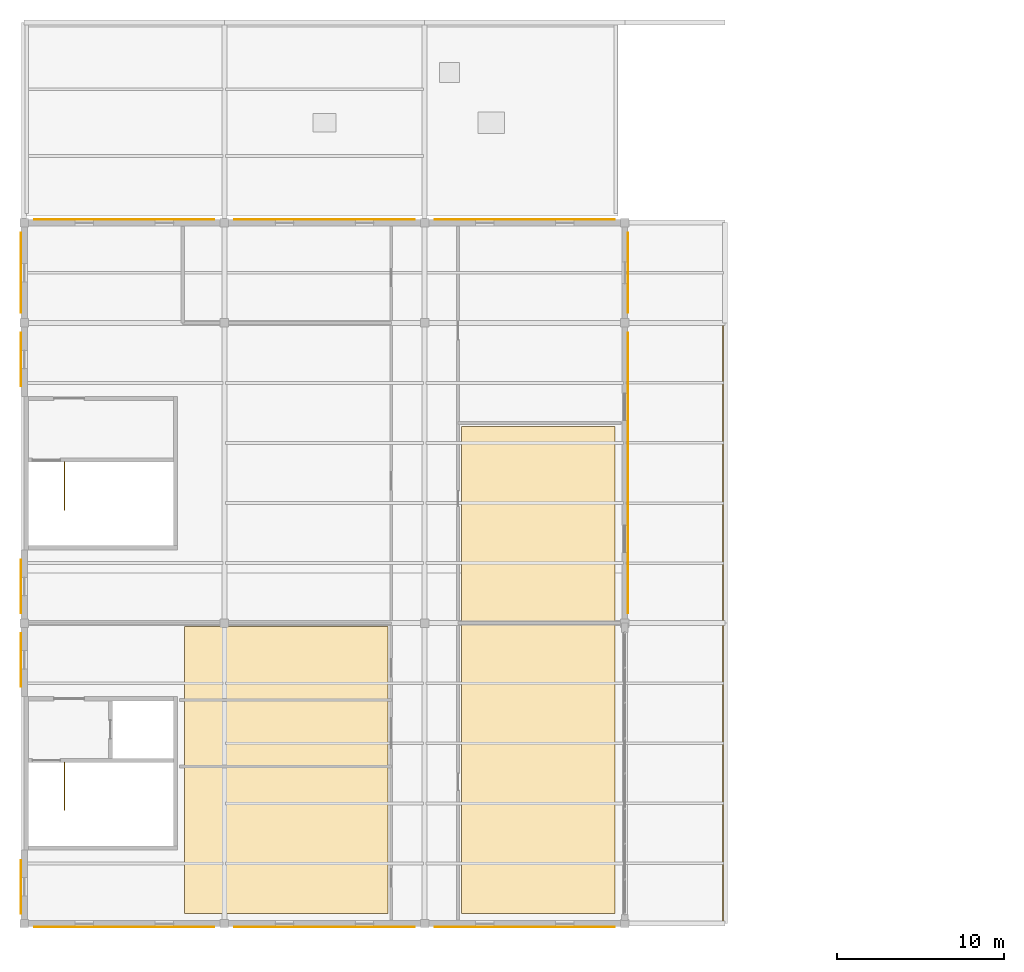
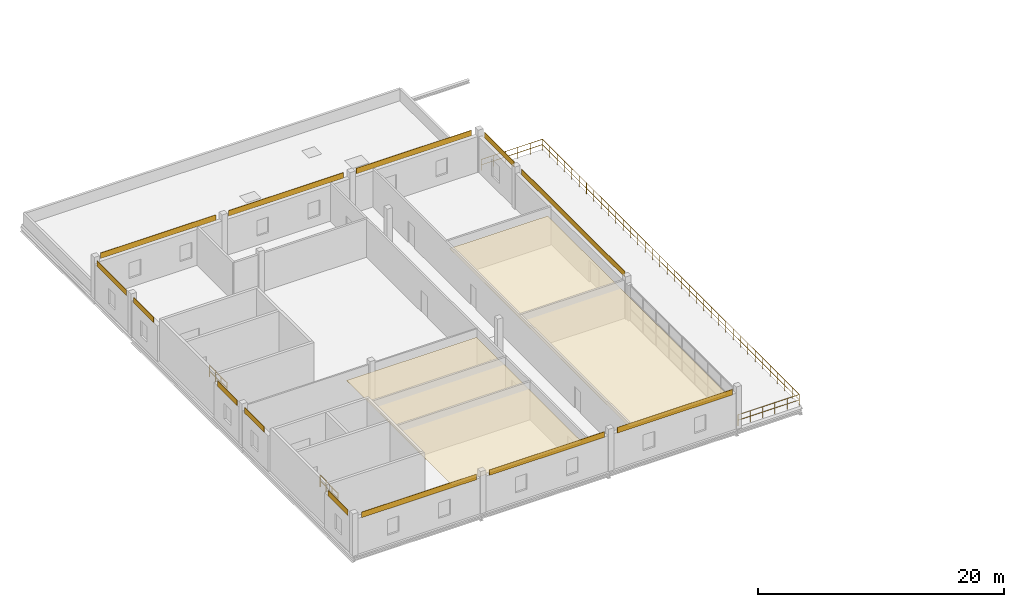
# One storey, part 11 of 11: 15 coverings, 3 railings.
"""IFC4 building model written with IfcOpenShell, lengths in metres."""

from ifc_helpers import new_model, si_unit, direction, frame, origin, origin_2d, place, context, subcontext, project, spatial, polyline, rectangle, circle, outline, extrude, material, layer, layer_set, type_object, element, save


model = new_model("IFC4")

# Units and contexts
model_context = context("Model", 3, precision=1e-05, world=origin(), true_north=direction((0.0, 1.0)))
body_context = subcontext(model_context, "Body", "Model", "MODEL_VIEW")
ifc_project = project(units=[si_unit("LENGTHUNIT", "METRE"), si_unit("AREAUNIT", "SQUARE_METRE"), si_unit("VOLUMEUNIT", "CUBIC_METRE"), si_unit("PLANEANGLEUNIT", "RADIAN"), si_unit("MASSUNIT", "GRAM", prefix="KILO")], contexts=[model_context])

# Site, building, storey
site_placement = place(None, origin())
site = spatial("IfcSite", under=ifc_project, at=site_placement, CompositionType="ELEMENT")
building_placement = place(site_placement, origin())
building = spatial("IfcBuilding", under=site, at=building_placement, Name="Zilviju Railside Exhibition Hall", CompositionType="ELEMENT")
storey_placement = place(building_placement, frame((0.0, 0.0, 16.800048828125)))
storey = spatial("IfcBuildingStorey", under=building, at=storey_placement, Name="L05", CompositionType="ELEMENT", Elevation=16.800048828125)

# Coverings
ifc_material_1 = material(Name="Perforated gypsum and mineral-wool acoustic ceiling", Category="masonry")
ifc_layer_1 = layer(ifc_material_1, 0.030029296875)
ifc_layer_set_1 = layer_set([ifc_layer_1], Name="Perforated gypsum and mineral-wool acoustic ceiling")
covering_type_1 = type_object("IfcCoveringType", Name="COV-CEIL-ACOUSTIC", PredefinedType="CEILING", material=ifc_layer_set_1)
covering_1_placement = place(storey_placement, frame((0.0, 0.0, 3.050048828125)))
element("IfcCovering", 1, at=covering_1_placement, inside=storey, type_object=covering_type_1, Name="Directorate Acoustic Ceiling", PredefinedType="CEILING", context=body_context, shape_type="SweptSolid", body=[
    extrude(outline(polyline([(9.60009765625, 84.60009765625), (21.800048828125, 84.60009765625), (21.800048828125, 101.800048828125), (9.60009765625, 101.800048828125), (9.60009765625, 84.60009765625)])), origin(), (0.0, 0.0, 1.0), 0.02978515625),
])
covering_2_placement = place(storey_placement, frame((0.0, 0.0, 3.050048828125)))
element("IfcCovering", 2, at=covering_2_placement, inside=storey, type_object=covering_type_1, Name="Executive Boardroom Acoustic Ceiling", PredefinedType="CEILING", context=body_context, shape_type="SweptSolid", body=[
    extrude(outline(polyline([(26.199951171875, 84.60009765625), (35.39990234375, 84.60009765625), (35.39990234375, 113.800048828125), (26.199951171875, 113.800048828125), (26.199951171875, 84.60009765625)])), origin(), (0.0, 0.0, 1.0), 0.02978515625),
])
ifc_material_2 = material(Name="Cobalt-blue and emerald glazed Jugendstils majolica frieze cladding", Category="masonry")
ifc_layer_2 = layer(ifc_material_2, 0.034912109375)
ifc_layer_set_2 = layer_set([ifc_layer_2], Name="Cobalt-blue and emerald glazed Jugendstils majolica frieze cladding")
covering_type_2 = type_object("IfcCoveringType", Name="COV-CLAD-MAJOLICA", PredefinedType="CLADDING", material=ifc_layer_set_2)
for number, where, z_axis, x_axis, name in (
    (3, (-0.202392578125, 86.199951171875, 3.52490234375), (0.0, 0.0, 1.0), (0.0, 1.0, 0.0), "Jugendstils Facade Cladding Band L05 037"),
    (4, (-0.202392578125, 99.800048828125, 3.52490234375), (0.0, 0.0, 1.0), (0.0, 1.0, 0.0), "Jugendstils Facade Cladding Band L05 038"),
    (5, (-0.202392578125, 104.199951171875, 3.52490234375), (0.0, 0.0, 1.0), (0.0, 1.0, 0.0), "Jugendstils Facade Cladding Band L05 039"),
    (6, (-0.202392578125, 117.800048828125, 3.52490234375), (0.0, 0.0, 1.0), (0.0, 1.0, 0.0), "Jugendstils Facade Cladding Band L05 040"),
):
    element("IfcCovering", number, at=place(storey_placement, frame(where, z_axis=z_axis, x_axis=x_axis)), inside=storey, type_object=covering_type_2, Name=name, PredefinedType="CLADDING", context=body_context, shape_type="SweptSolid", body=[
        extrude(rectangle(XDim=3.199951171875, YDim=0.034912109375, at=origin_2d()), origin(), (0.0, 0.0, 1.0), 0.550048828125),
    ])
covering_3_placement = place(storey_placement, frame((-0.202392578125, 123.0, 3.52490234375), z_axis=(0.0, 0.0, 1.0), x_axis=(0.0, 1.0, 0.0)))
element("IfcCovering", 7, at=covering_3_placement, inside=storey, type_object=covering_type_2, Name="Jugendstils Facade Cladding Band L05 041", PredefinedType="CLADDING", context=body_context, shape_type="SweptSolid", body=[
    extrude(rectangle(XDim=4.800048828125, YDim=0.034912109375, at=origin_2d()), origin(), (0.0, 0.0, 1.0), 0.550048828125),
])
covering_4_placement = place(storey_placement, frame((36.1826171875, 111.0, 3.52490234375), z_axis=(0.0, 0.0, 1.0), x_axis=(0.0, -1.0, 0.0)))
element("IfcCovering", 8, at=covering_4_placement, inside=storey, type_object=covering_type_2, Name="Jugendstils Facade Cladding Band L05 042", PredefinedType="CLADDING", context=body_context, shape_type="SweptSolid", body=[
    extrude(rectangle(XDim=16.800048828125, YDim=0.034912109375, at=origin_2d()), origin(), (0.0, 0.0, 1.0), 0.550048828125),
])
covering_5_placement = place(storey_placement, frame((36.1826171875, 123.0, 3.52490234375), z_axis=(0.0, 0.0, 1.0), x_axis=(0.0, -1.0, 0.0)))
element("IfcCovering", 9, at=covering_5_placement, inside=storey, type_object=covering_type_2, Name="Jugendstils Facade Cladding Band L05 043", PredefinedType="CLADDING", context=body_context, shape_type="SweptSolid", body=[
    extrude(rectangle(XDim=4.800048828125, YDim=0.034912109375, at=origin_2d()), origin(), (0.0, 0.0, 1.0), 0.550048828125),
])
for number, where, z_axis, x_axis, name in (
    (10, (6.0, 83.797607421875, 3.52490234375), (0.0, 0.0, 1.0), (-1.0, 0.0, 0.0), "Jugendstils Facade Cladding Band L05 044"),
    (11, (6.0, 126.202392578125, 3.52490234375), (0.0, 0.0, 1.0), (1.0, 0.0, 0.0), "Jugendstils Facade Cladding Band L05 045"),
    (12, (18.0, 83.797607421875, 3.52490234375), (0.0, 0.0, 1.0), (-1.0, 0.0, 0.0), "Jugendstils Facade Cladding Band L05 046"),
    (13, (18.0, 126.202392578125, 3.52490234375), (0.0, 0.0, 1.0), (1.0, 0.0, 0.0), "Jugendstils Facade Cladding Band L05 047"),
    (14, (30.0, 83.797607421875, 3.52490234375), (0.0, 0.0, 1.0), (-1.0, 0.0, 0.0), "Jugendstils Facade Cladding Band L05 048"),
    (15, (30.0, 126.202392578125, 3.52490234375), (0.0, 0.0, 1.0), (1.0, 0.0, 0.0), "Jugendstils Facade Cladding Band L05 049"),
):
    element("IfcCovering", number, at=place(storey_placement, frame(where, z_axis=z_axis, x_axis=x_axis)), inside=storey, type_object=covering_type_2, Name=name, PredefinedType="CLADDING", context=body_context, shape_type="SweptSolid", body=[
        extrude(rectangle(XDim=10.800048828125, YDim=0.034912109375, at=origin_2d()), origin(), (0.0, 0.0, 1.0), 0.550048828125),
    ])

# Railings
ifc_material_3 = material(Name="Wrought-iron Jugendstils terrace guardrail", Category="steel")
railing_type_1 = type_object("IfcRailingType", Name="RL-GUARD-1120", PredefinedType="GUARDRAIL", material=ifc_material_3)
railing_placement = place(storey_placement, frame((36.1201171875, 84.1201171875, 0.0)))
element("IfcRailing", 16, at=railing_placement, inside=storey, type_object=railing_type_1, Name="Directorate East Step Planted Roof Garden Perimeter Guardrail", PredefinedType="GUARDRAIL", context=body_context, shape_type="SweptSolid", body=[
    extrude(circle(Radius=0.02392578125, at=origin_2d()), frame((0.021728515625, 0.0, 1.09619140625), z_axis=(1.0, 0.0, 0.0), x_axis=(0.0, 1.0, 0.0)), (0.0, 0.0, 1.0), 5.716064453125),
    extrude(circle(Radius=0.02392578125, at=origin_2d()), frame((0.021728515625, 0.0, 0.56005859375), z_axis=(1.0, 0.0, 0.0), x_axis=(0.0, 1.0, 0.0)), (0.0, 0.0, 1.0), 5.716064453125),
    extrude(circle(Radius=0.02392578125, at=origin_2d()), frame((5.759765625, 0.021728515625, 1.09619140625), z_axis=(0.0, 1.0, 0.0), x_axis=(-1.0, 0.0, 0.0)), (0.0, 0.0, 1.0), 41.716064453125),
    extrude(circle(Radius=0.02392578125, at=origin_2d()), frame((5.759765625, 0.021728515625, 0.56005859375), z_axis=(0.0, 1.0, 0.0), x_axis=(-1.0, 0.0, 0.0)), (0.0, 0.0, 1.0), 41.716064453125),
    extrude(circle(Radius=0.02392578125, at=origin_2d()), frame((5.738037109375, 41.759765625, 1.09619140625), z_axis=(-1.0, 0.0, 0.0), x_axis=(0.0, -1.0, 0.0)), (0.0, 0.0, 1.0), 5.716064453125),
    extrude(circle(Radius=0.02392578125, at=origin_2d()), frame((5.738037109375, 41.759765625, 0.56005859375), z_axis=(-1.0, 0.0, 0.0), x_axis=(0.0, -1.0, 0.0)), (0.0, 0.0, 1.0), 5.716064453125),
    extrude(circle(Radius=0.02099609375, at=origin_2d()), origin(), (0.0, 0.0, 1.0), 1.1201171875),
    extrude(circle(Radius=0.02099609375, at=origin_2d()), frame((1.15185546875, 0.0, 0.0)), (0.0, 0.0, 1.0), 1.1201171875),
    extrude(circle(Radius=0.02099609375, at=origin_2d()), frame((2.303955078125, 0.0, 0.0)), (0.0, 0.0, 1.0), 1.1201171875),
    extrude(circle(Radius=0.02099609375, at=origin_2d()), frame((3.455810546875, 0.0, 0.0)), (0.0, 0.0, 1.0), 1.1201171875),
    extrude(circle(Radius=0.02099609375, at=origin_2d()), frame((4.60791015625, 0.0, 0.0)), (0.0, 0.0, 1.0), 1.1201171875),
    extrude(circle(Radius=0.02099609375, at=origin_2d()), frame((5.759765625, 0.0, 0.0)), (0.0, 0.0, 1.0), 1.1201171875),
    extrude(circle(Radius=0.02099609375, at=origin_2d()), frame((5.759765625, 1.193115234375, 0.0)), (0.0, 0.0, 1.0), 1.1201171875),
    extrude(circle(Radius=0.02099609375, at=origin_2d()), frame((5.759765625, 2.38623046875, 0.0)), (0.0, 0.0, 1.0), 1.1201171875),
    extrude(circle(Radius=0.02099609375, at=origin_2d()), frame((5.759765625, 3.579345703125, 0.0)), (0.0, 0.0, 1.0), 1.1201171875),
    extrude(circle(Radius=0.02099609375, at=origin_2d()), frame((5.759765625, 4.7724609375, 0.0)), (0.0, 0.0, 1.0), 1.1201171875),
    extrude(circle(Radius=0.02099609375, at=origin_2d()), frame((5.759765625, 5.965576171875, 0.0)), (0.0, 0.0, 1.0), 1.1201171875),
    extrude(circle(Radius=0.02099609375, at=origin_2d()), frame((5.759765625, 7.158935546875, 0.0)), (0.0, 0.0, 1.0), 1.1201171875),
    extrude(circle(Radius=0.02099609375, at=origin_2d()), frame((5.759765625, 8.35205078125, 0.0)), (0.0, 0.0, 1.0), 1.1201171875),
    extrude(circle(Radius=0.02099609375, at=origin_2d()), frame((5.759765625, 9.545166015625, 0.0)), (0.0, 0.0, 1.0), 1.1201171875),
    extrude(circle(Radius=0.02099609375, at=origin_2d()), frame((5.759765625, 10.73828125, 0.0)), (0.0, 0.0, 1.0), 1.1201171875),
    extrude(circle(Radius=0.02099609375, at=origin_2d()), frame((5.759765625, 11.931396484375, 0.0)), (0.0, 0.0, 1.0), 1.1201171875),
    extrude(circle(Radius=0.02099609375, at=origin_2d()), frame((5.759765625, 13.12451171875, 0.0)), (0.0, 0.0, 1.0), 1.1201171875),
    extrude(circle(Radius=0.02099609375, at=origin_2d()), frame((5.759765625, 14.317626953125, 0.0)), (0.0, 0.0, 1.0), 1.1201171875),
    extrude(circle(Radius=0.02099609375, at=origin_2d()), frame((5.759765625, 15.5107421875, 0.0)), (0.0, 0.0, 1.0), 1.1201171875),
    extrude(circle(Radius=0.02099609375, at=origin_2d()), frame((5.759765625, 16.703857421875, 0.0)), (0.0, 0.0, 1.0), 1.1201171875),
    extrude(circle(Radius=0.02099609375, at=origin_2d()), frame((5.759765625, 17.89697265625, 0.0)), (0.0, 0.0, 1.0), 1.1201171875),
    extrude(circle(Radius=0.02099609375, at=origin_2d()), frame((5.759765625, 19.090087890625, 0.0)), (0.0, 0.0, 1.0), 1.1201171875),
    extrude(circle(Radius=0.02099609375, at=origin_2d()), frame((5.759765625, 20.283203125, 0.0)), (0.0, 0.0, 1.0), 1.1201171875),
    extrude(circle(Radius=0.02099609375, at=origin_2d()), frame((5.759765625, 21.4765625, 0.0)), (0.0, 0.0, 1.0), 1.1201171875),
    extrude(circle(Radius=0.02099609375, at=origin_2d()), frame((5.759765625, 22.669677734375, 0.0)), (0.0, 0.0, 1.0), 1.1201171875),
    extrude(circle(Radius=0.02099609375, at=origin_2d()), frame((5.759765625, 23.86279296875, 0.0)), (0.0, 0.0, 1.0), 1.1201171875),
    extrude(circle(Radius=0.02099609375, at=origin_2d()), frame((5.759765625, 25.055908203125, 0.0)), (0.0, 0.0, 1.0), 1.1201171875),
    extrude(circle(Radius=0.02099609375, at=origin_2d()), frame((5.759765625, 26.2490234375, 0.0)), (0.0, 0.0, 1.0), 1.1201171875),
    extrude(circle(Radius=0.02099609375, at=origin_2d()), frame((5.759765625, 27.442138671875, 0.0)), (0.0, 0.0, 1.0), 1.1201171875),
    extrude(circle(Radius=0.02099609375, at=origin_2d()), frame((5.759765625, 28.63525390625, 0.0)), (0.0, 0.0, 1.0), 1.1201171875),
    extrude(circle(Radius=0.02099609375, at=origin_2d()), frame((5.759765625, 29.828369140625, 0.0)), (0.0, 0.0, 1.0), 1.1201171875),
    extrude(circle(Radius=0.02099609375, at=origin_2d()), frame((5.759765625, 31.021484375, 0.0)), (0.0, 0.0, 1.0), 1.1201171875),
    extrude(circle(Radius=0.02099609375, at=origin_2d()), frame((5.759765625, 32.214599609375, 0.0)), (0.0, 0.0, 1.0), 1.1201171875),
    extrude(circle(Radius=0.02099609375, at=origin_2d()), frame((5.759765625, 33.40771484375, 0.0)), (0.0, 0.0, 1.0), 1.1201171875),
    extrude(circle(Radius=0.02099609375, at=origin_2d()), frame((5.759765625, 34.600830078125, 0.0)), (0.0, 0.0, 1.0), 1.1201171875),
    extrude(circle(Radius=0.02099609375, at=origin_2d()), frame((5.759765625, 35.794189453125, 0.0)), (0.0, 0.0, 1.0), 1.1201171875),
    extrude(circle(Radius=0.02099609375, at=origin_2d()), frame((5.759765625, 36.9873046875, 0.0)), (0.0, 0.0, 1.0), 1.1201171875),
    extrude(circle(Radius=0.02099609375, at=origin_2d()), frame((5.759765625, 38.180419921875, 0.0)), (0.0, 0.0, 1.0), 1.1201171875),
    extrude(circle(Radius=0.02099609375, at=origin_2d()), frame((5.759765625, 39.37353515625, 0.0)), (0.0, 0.0, 1.0), 1.1201171875),
    extrude(circle(Radius=0.02099609375, at=origin_2d()), frame((5.759765625, 40.566650390625, 0.0)), (0.0, 0.0, 1.0), 1.1201171875),
    extrude(circle(Radius=0.02099609375, at=origin_2d()), frame((5.759765625, 41.759765625, 0.0)), (0.0, 0.0, 1.0), 1.1201171875),
    extrude(circle(Radius=0.02099609375, at=origin_2d()), frame((4.60791015625, 41.759765625, 0.0)), (0.0, 0.0, 1.0), 1.1201171875),
    extrude(circle(Radius=0.02099609375, at=origin_2d()), frame((3.455810546875, 41.759765625, 0.0)), (0.0, 0.0, 1.0), 1.1201171875),
    extrude(circle(Radius=0.02099609375, at=origin_2d()), frame((2.303955078125, 41.759765625, 0.0)), (0.0, 0.0, 1.0), 1.1201171875),
    extrude(circle(Radius=0.02099609375, at=origin_2d()), frame((1.15185546875, 41.759765625, 0.0)), (0.0, 0.0, 1.0), 1.1201171875),
    extrude(circle(Radius=0.02099609375, at=origin_2d()), frame((0.0, 41.759765625, 0.0)), (0.0, 0.0, 1.0), 1.1201171875),
])
ifc_material_4 = material(Name="Wrought-iron and laminated-glass atrium guardrail", Category="glass")
railing_type_2 = type_object("IfcRailingType", Name="RL-INT-GUARD-1120", PredefinedType="GUARDRAIL", material=ifc_material_4)
for number, where, name in (
    (17, (2.419921875, 90.800048828125, 0.0), "Core C15 Organisers Wing South Top-Landing Well Guardrail L05"),
    (18, (2.419921875, 108.800048828125, 0.0), "Core C16 Organisers Wing North Top-Landing Well Guardrail L05"),
):
    element("IfcRailing", number, at=place(storey_placement, frame(where)), inside=storey, type_object=railing_type_2, Name=name, PredefinedType="GUARDRAIL", context=body_context, shape_type="SweptSolid", body=[
        extrude(circle(Radius=0.02392578125, at=origin_2d()), frame((0.0, 0.021728515625, 1.09619140625), z_axis=(0.0, 1.0, 0.0), x_axis=(-1.0, 0.0, 0.0)), (0.0, 0.0, 1.0), 2.80615234375),
        extrude(circle(Radius=0.02392578125, at=origin_2d()), frame((0.0, 0.021728515625, 0.56005859375), z_axis=(0.0, 1.0, 0.0), x_axis=(-1.0, 0.0, 0.0)), (0.0, 0.0, 1.0), 2.80615234375),
        extrude(circle(Radius=0.02099609375, at=origin_2d()), origin(), (0.0, 0.0, 1.0), 1.1201171875),
        extrude(circle(Radius=0.02099609375, at=origin_2d()), frame((0.0, 0.949951171875, 0.0)), (0.0, 0.0, 1.0), 1.1201171875),
        extrude(circle(Radius=0.02099609375, at=origin_2d()), frame((0.0, 1.89990234375, 0.0)), (0.0, 0.0, 1.0), 1.1201171875),
        extrude(circle(Radius=0.02099609375, at=origin_2d()), frame((0.0, 2.849853515625, 0.0)), (0.0, 0.0, 1.0), 1.1201171875),
    ])

save(model, "model.ifc")
